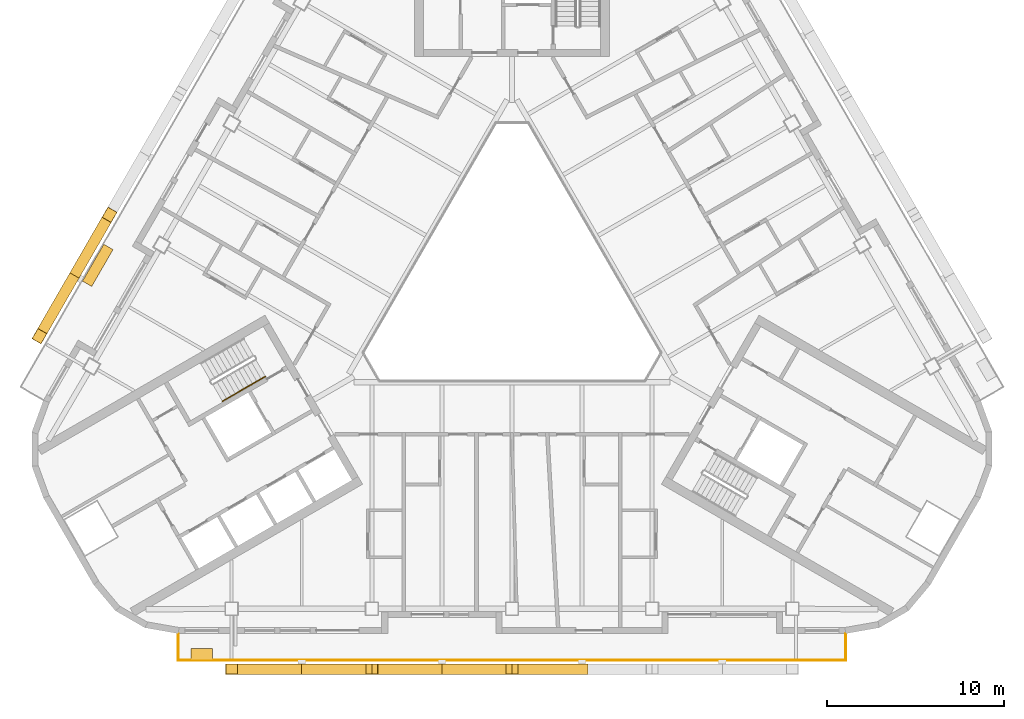
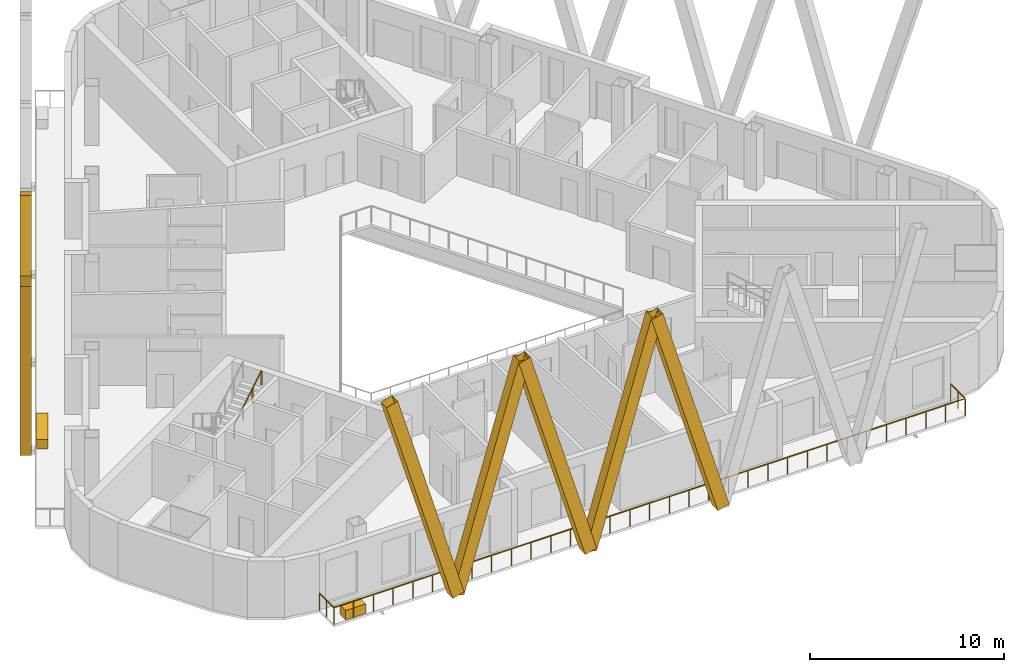
# One storey, part 9 of 14: 7 shading devices, 2 coverings, 2 railings.
"""IFC4 building model written with IfcOpenShell, lengths in metres."""

import ifcopenshell
import ifcopenshell.guid

model = None  # the IFC model being written
_history = None  # IfcOwnerHistory: only IFC2X3 demands one
_inside = {}  # id of a spatial element -> (the spatial element, [elements in it])
_under = {}  # id of a project, library or spatial element -> (it, [spatial elements below it])
_declared = {}  # id of a project -> (the project, [libraries it declares])
_typed = {}  # id of a type object -> (the type object, [elements of that type])
_made_of = {}  # id of a material, layer set ... -> (it, [elements and type objects made of it])


def new_model(schema):
    """Start an empty IFC model of exactly this schema.

    Asked for "IFC4X3", IfcOpenShell would pick the latest addendum, in which some entities
    have other attributes; the version numbers below select the first issue.
    IFC2X3 requires an IfcOwnerHistory on every rooted entity: one is made here for all.
    """
    global model, _history
    if schema == "IFC4X3":
        model = ifcopenshell.file(schema_version=(4, 3, 0, 0))
    else:
        model = ifcopenshell.file(schema=schema)
    _inside.clear()
    _under.clear()
    _declared.clear()
    _typed.clear()
    _made_of.clear()
    _history = None
    if model.schema == "IFC2X3":
        org = make("IfcOrganization", Name="unknown")
        user = make(
            "IfcPersonAndOrganization",
            ThePerson=make("IfcPerson", FamilyName="unknown"),
            TheOrganization=org,
        )
        app = make(
            "IfcApplication",
            ApplicationDeveloper=org,
            Version="unknown",
            ApplicationFullName="unknown",
            ApplicationIdentifier="unknown",
        )
        _history = make(
            "IfcOwnerHistory",
            OwningUser=user,
            OwningApplication=app,
            ChangeAction="ADDED",
            CreationDate=0,
        )
    return model


def make(cls, **values):
    """One entity of the class cls with the attributes given. An attribute that is None is left unset."""
    return model.create_entity(
        cls, **{name: value for name, value in values.items() if value is not None}
    )


def rooted(cls, **values):
    """An entity with a GlobalId (a new one), such as an element, a storey or a relation."""
    return make(cls, GlobalId=ifcopenshell.guid.new(), OwnerHistory=_history, **values)


def si_unit(unit_type, name, prefix=None):
    """IfcSIUnit, for example si_unit("LENGTHUNIT", "METRE", prefix="MILLI")."""
    return make("IfcSIUnit", UnitType=unit_type, Prefix=prefix, Name=name)


def assignment(units):
    """IfcUnitAssignment: the units of a project."""
    return None if units is None else make("IfcUnitAssignment", Units=units)


def point(xyz):
    """IfcCartesianPoint."""
    return None if xyz is None else make("IfcCartesianPoint", Coordinates=xyz)


def direction(xyz):
    """IfcDirection."""
    return None if xyz is None else make("IfcDirection", DirectionRatios=xyz)


def frame(location, z_axis=None, x_axis=None):
    """IfcAxis2Placement3D, a coordinate frame: its origin and axes. An axis left out is left unset."""
    return make(
        "IfcAxis2Placement3D",
        Location=point(location),
        Axis=direction(z_axis),
        RefDirection=direction(x_axis),
    )


def frame_2d(location, x_axis=None):
    """IfcAxis2Placement2D, a coordinate frame in the plane: its origin and x axis."""
    return make(
        "IfcAxis2Placement2D", Location=point(location), RefDirection=direction(x_axis)
    )


def origin():
    """The frame at (0, 0, 0) with its axes left unset."""
    return frame((0.0, 0.0, 0.0))


def origin_2d():
    """The frame at (0, 0) in the plane with its x axis left unset."""
    return frame_2d((0.0, 0.0))


def place(relative_to, where):
    """IfcLocalPlacement: puts the frame where relative to a parent placement (None: the world)."""
    return make(
        "IfcLocalPlacement", PlacementRelTo=relative_to, RelativePlacement=where
    )


def context(
    kind, dimensions, precision=None, world=None, true_north=None, identifier=None
):
    """IfcGeometricRepresentationContext, for example the 3D "Model" context."""
    return make(
        "IfcGeometricRepresentationContext",
        ContextIdentifier=identifier,
        ContextType=kind,
        CoordinateSpaceDimension=dimensions,
        Precision=precision,
        WorldCoordinateSystem=world,
        TrueNorth=true_north,
    )


def subcontext(parent, identifier, kind, view, scale=None):
    """IfcGeometricRepresentationSubContext, for example "Body" below "Model"."""
    return make(
        "IfcGeometricRepresentationSubContext",
        ContextIdentifier=identifier,
        ContextType=kind,
        ParentContext=parent,
        TargetScale=scale,
        TargetView=view,
    )


def project(units=None, contexts=None):
    """IfcProject with its units and contexts."""
    return rooted(
        "IfcProject",
        Name="project",
        RepresentationContexts=contexts,
        UnitsInContext=assignment(units),
    )


def spatial(cls, under=None, at=None, **own):
    """A site, building, storey or space (cls), placed at a placement, below another one or the project."""
    s = rooted(cls, ObjectPlacement=at, **own)
    if under is not None:
        _under.setdefault(under.id(), (under, []))[1].append(s)
    return s


def profile(cls, at=None, kind="AREA", **sizes):
    """A parametric profile (cls). Its sizes go by their IFC names, for example OverallWidth=200.0."""
    return make(cls, ProfileType=kind, Position=at, **sizes)


def rectangle(**sizes):
    """IfcRectangleProfileDef."""
    return profile("IfcRectangleProfileDef", **sizes)


def hollow_rectangle(**sizes):
    """IfcRectangleHollowProfileDef."""
    return profile("IfcRectangleHollowProfileDef", **sizes)


def circle(**sizes):
    """IfcCircleProfileDef."""
    return profile("IfcCircleProfileDef", **sizes)


def extrude(swept, where, along, depth):
    """IfcExtrudedAreaSolid: the profile swept, set in the frame where, extruded along a direction by depth."""
    return make(
        "IfcExtrudedAreaSolid",
        SweptArea=swept,
        Position=where,
        ExtrudedDirection=direction(along),
        Depth=depth,
    )


def shape(context_of_items, identifier, shape_type, items):
    """IfcShapeRepresentation: the items that make up one representation, for example the "Body"."""
    return make(
        "IfcShapeRepresentation",
        ContextOfItems=context_of_items,
        RepresentationIdentifier=identifier,
        RepresentationType=shape_type,
        Items=items,
    )


def material(Name=None, Category=None):
    """IfcMaterial."""
    return make("IfcMaterial", Name=Name, Category=Category)


def material_profile(
    of_material, cross_section, Name=None, Category=None, Priority=None
):
    """IfcMaterialProfile: a cross section and its material."""
    return make(
        "IfcMaterialProfile",
        Name=Name,
        Material=of_material,
        Profile=cross_section,
        Priority=Priority,
        Category=Category,
    )


def profile_set(profiles, Name=None, composite=None):
    """IfcMaterialProfileSet."""
    return make(
        "IfcMaterialProfileSet",
        Name=Name,
        MaterialProfiles=profiles,
        CompositeProfile=composite,
    )


def made_of(thing, what):
    """Note that an element or type object is made of a material, layer set ...; save() writes the relation."""
    if what is not None:
        _made_of.setdefault(what.id(), (what, []))[1].append(thing)
    return thing


def type_object(cls, material=None, **own):
    """A type object (cls), such as IfcWallType, which elements share."""
    return made_of(rooted(cls, **own), material)


def element(
    cls,
    number,
    at=None,
    inside=None,
    cuts=None,
    type_object=None,
    material=None,
    context=None,
    identifier="Body",
    shape_type=None,
    held_by="IfcProductDefinitionShape",
    body=None,
    shapes=None,
    **own,
):
    """One element of the class cls, such as IfcWall. Its Tag is "e" and its number.

    at: its placement. inside: the storey or other place that contains it. cuts: it is an
    opening in that element (IfcRelVoidsElement). A single representation is given by context,
    identifier, shape_type and body (its items); several are given by shapes. held_by: the class
    of the entity that holds the representations. save() writes the other relations.
    """
    e = rooted(cls, Tag="e%d" % number, ObjectPlacement=at, **own)
    if body is not None:
        shapes = [shape(context, identifier, shape_type, body)]
    if shapes is not None:
        e.Representation = make(held_by, Representations=shapes)
    if inside is not None:
        _inside.setdefault(inside.id(), (inside, []))[1].append(e)
    if cuts is not None:
        rooted(
            "IfcRelVoidsElement", RelatingBuildingElement=cuts, RelatedOpeningElement=e
        )
    if type_object is not None:
        _typed.setdefault(type_object.id(), (type_object, []))[1].append(e)
    return made_of(e, material)


def aggregate(whole, parts):
    """IfcRelAggregates: a whole, such as a stair, and the parts it consists of."""
    return rooted("IfcRelAggregates", RelatingObject=whole, RelatedObjects=parts)


def save(model, path):
    """Write the relations noted so far, then the file.

    IfcRelAggregates (storeys below a building ...), IfcRelContainedInSpatialStructure (elements
    in a storey), IfcRelDefinesByType, IfcRelAssociatesMaterial and IfcRelDeclares: one each for
    every whole, place, type object, material and project.
    """
    for whole, parts in _under.values():
        aggregate(whole, parts)
    for where, things in _inside.values():
        rooted(
            "IfcRelContainedInSpatialStructure",
            RelatedElements=things,
            RelatingStructure=where,
        )
    for kind, things in _typed.values():
        rooted("IfcRelDefinesByType", RelatedObjects=things, RelatingType=kind)
    for what, things in _made_of.values():
        rooted("IfcRelAssociatesMaterial", RelatedObjects=things, RelatingMaterial=what)
    for by, libraries in _declared.values():
        rooted("IfcRelDeclares", RelatingContext=by, RelatedDefinitions=libraries)
    model.write(path)


model = new_model("IFC4")

# Units and contexts
model_context = context("Model", 3, precision=1e-05, world=origin(), true_north=direction((0.0, 1.0)))
body_context = subcontext(model_context, "Body", "Model", "MODEL_VIEW")
ifc_project = project(units=[si_unit("LENGTHUNIT", "METRE"), si_unit("AREAUNIT", "SQUARE_METRE"), si_unit("VOLUMEUNIT", "CUBIC_METRE"), si_unit("PLANEANGLEUNIT", "RADIAN"), si_unit("MASSUNIT", "GRAM", prefix="KILO")], contexts=[model_context])

# Site, building, storey
site_placement = place(None, origin())
site = spatial("IfcSite", under=ifc_project, at=site_placement, CompositionType="ELEMENT")
building_placement = place(site_placement, origin())
building = spatial("IfcBuilding", under=site, at=building_placement, Name="Apuvela Tower Hotel", CompositionType="ELEMENT")
storey_placement = place(building_placement, frame((0.0, 0.0, 224.300048828125)))
storey = spatial("IfcBuildingStorey", under=building, at=storey_placement, Name="L55", CompositionType="ELEMENT", Elevation=224.300048828125)

# Railing
ifc_material_1 = material(Name="Stainless steel 316 handrail", Category="steel")
railing_type_1 = type_object("IfcRailingType", Name="COR-HANDRAIL-900", PredefinedType="HANDRAIL", material=ifc_material_1)
railing_1_placement = place(storey_placement, frame((-16.31884765625, -6.534912109375, 2.01806640625)))
element("IfcRailing", 1, at=railing_1_placement, inside=storey, type_object=railing_type_1, Name="L55 ST2 stair handrail 2", PredefinedType="HANDRAIL", context=body_context, shape_type="SweptSolid", body=[
    extrude(circle(Radius=0.02392578125, at=origin_2d()), frame((0.0, 0.0, 0.8759765625), z_axis=(0.742390482028, 0.42860119049, 0.514934356695), x_axis=(-0.49998411664, 0.866034573852, 0.0)), (0.0, 0.0, 1.0), 3.26611328125),
    extrude(rectangle(XDim=0.0419921875, YDim=0.0419921875, at=origin_2d()), origin(), (0.0, 0.0, 1.0), 0.851806640625),
    extrude(rectangle(XDim=0.0419921875, YDim=0.0419921875, at=origin_2d()), frame((0.808349609375, 0.466552734375, 0.560546875)), (0.0, 0.0, 1.0), 0.851806640625),
    extrude(rectangle(XDim=0.0419921875, YDim=0.0419921875, at=origin_2d()), frame((1.616455078125, 0.933349609375, 1.121337890625)), (0.0, 0.0, 1.0), 0.851806640625),
    extrude(rectangle(XDim=0.0419921875, YDim=0.0419921875, at=origin_2d()), frame((2.4248046875, 1.39990234375, 1.681884765625)), (0.0, 0.0, 1.0), 0.851806640625),
])

# Shading devices
ifc_material_2 = material(Name="Aluminium 6063-T6, black anodised", Category="aluminium")
ifc_material_profile = material_profile(ifc_material_2, hollow_rectangle(XDim=0.60009765625, YDim=0.699951171875, WallThickness=0.011962890625, at=origin_2d()), Name="AL BOX 700x600x12")
ifc_profile_set = profile_set([ifc_material_profile], Name="Aluminium 6063-T6, black anodised")
shading_device_type = type_object("IfcShadingDeviceType", Name="ENV-FIN-700x600", PredefinedType="USERDEFINED", material=ifc_profile_set)
for number, where, z_axis, x_axis, name in (
    (2, (-11.85009765625, -21.6298828125, -0.10009765625), (-0.282741528766, 0.0, 0.95919613631), (0.0, -1.0, 0.0), "Lattice fin S457"),
    (3, (-11.85009765625, -21.6298828125, -0.10009765625), (0.282757607414, 0.0, 0.959191396672), (0.0, 1.0, 0.0), "Lattice fin S458"),
    (4, (-3.949951171875, -21.6298828125, -0.10009765625), (-0.282741528766, 0.0, 0.95919613631), (0.0, -1.0, 0.0), "Lattice fin S459"),
    (5, (-3.949951171875, -21.6298828125, -0.10009765625), (0.282741528766, 0.0, 0.95919613631), (0.0, 1.0, 0.0), "Lattice fin S460"),
    (6, (3.949951171875, -21.6298828125, -0.10009765625), (-0.282741528766, 0.0, 0.95919613631), (0.0, -1.0, 0.0), "Lattice fin S461"),
    (7, (-24.656982421875, 0.552490234375, -0.10009765625), (0.141361853257, 0.244871095047, 0.959194961024), (-0.866047669374, 0.499961432884, 0.0), "Lattice fin NW527"),
    (8, (-24.656982421875, 0.552490234375, -0.10009765625), (-0.14137958477, -0.244854062078, 0.959196695831), (0.866005453737, -0.500034552904, 0.0), "Lattice fin NW528"),
):
    element("IfcShadingDevice", number, at=place(storey_placement, frame(where, z_axis=z_axis, x_axis=x_axis)), inside=storey, type_object=shading_device_type, Name=name, ObjectType="FIN", PredefinedType="USERDEFINED", context=body_context, shape_type="SweptSolid", body=[
        extrude(hollow_rectangle(XDim=0.60009765625, YDim=0.699951171875, WallThickness=0.011962890625, at=origin_2d()), origin(), (0.0, 0.0, 1.0), 13.97021484375),
    ])

# Railing
ifc_material_3 = material(Name="Stainless steel 316 rail with laminated glass infill", Category="steel")
railing_type_2 = type_object("IfcRailingType", Name="ENV-GUARD-1100", PredefinedType="GUARDRAIL", material=ifc_material_3)
railing_2_placement = place(storey_placement, frame((-18.81591796875, -19.6298828125, 0.0)))
element("IfcRailing", 9, at=railing_2_placement, inside=storey, type_object=railing_type_2, Name="Balcony guard S L55", PredefinedType="GUARDRAIL", context=body_context, shape_type="SweptSolid", body=[
    extrude(rectangle(XDim=0.050048828125, YDim=0.050048828125, at=origin_2d()), frame((0.0, 0.0, 1.0751953125), z_axis=(0.0, -1.0, 0.0), x_axis=(1.0, 0.0, 0.0)), (0.0, 0.0, 1.0), 1.5),
    extrude(rectangle(XDim=0.050048828125, YDim=0.050048828125, at=origin_2d()), frame((0.0, -1.5, 1.0751953125), z_axis=(1.0, 0.0, 0.0), x_axis=(0.0, 1.0, 0.0)), (0.0, 0.0, 1.0), 37.6318359375),
    extrude(rectangle(XDim=0.050048828125, YDim=0.050048828125, at=origin_2d()), frame((37.6318359375, -1.5, 1.0751953125), z_axis=(0.0, 1.0, 0.0), x_axis=(-1.0, 0.0, 0.0)), (0.0, 0.0, 1.0), 1.5),
    extrude(rectangle(XDim=0.0400390625, YDim=0.0400390625, at=origin_2d()), origin(), (0.0, 0.0, 1.0), 1.050048828125),
    extrude(rectangle(XDim=0.0400390625, YDim=0.0400390625, at=origin_2d()), frame((0.0, -0.75, 0.0)), (0.0, 0.0, 1.0), 1.050048828125),
    extrude(rectangle(XDim=0.0400390625, YDim=0.0400390625, at=origin_2d()), frame((0.0, -1.5, 0.0)), (0.0, 0.0, 1.0), 1.050048828125),
    extrude(rectangle(XDim=0.0400390625, YDim=0.0400390625, at=origin_2d()), frame((1.176025390625, -1.5, 0.0)), (0.0, 0.0, 1.0), 1.050048828125),
    extrude(rectangle(XDim=0.0400390625, YDim=0.0400390625, at=origin_2d()), frame((2.35205078125, -1.5, 0.0)), (0.0, 0.0, 1.0), 1.050048828125),
    extrude(rectangle(XDim=0.0400390625, YDim=0.0400390625, at=origin_2d()), frame((3.528076171875, -1.5, 0.0)), (0.0, 0.0, 1.0), 1.050048828125),
    extrude(rectangle(XDim=0.0400390625, YDim=0.0400390625, at=origin_2d()), frame((4.7041015625, -1.5, 0.0)), (0.0, 0.0, 1.0), 1.050048828125),
    extrude(rectangle(XDim=0.0400390625, YDim=0.0400390625, at=origin_2d()), frame((5.8798828125, -1.5, 0.0)), (0.0, 0.0, 1.0), 1.050048828125),
    extrude(rectangle(XDim=0.0400390625, YDim=0.0400390625, at=origin_2d()), frame((7.055908203125, -1.5, 0.0)), (0.0, 0.0, 1.0), 1.050048828125),
    extrude(rectangle(XDim=0.0400390625, YDim=0.0400390625, at=origin_2d()), frame((8.23193359375, -1.5, 0.0)), (0.0, 0.0, 1.0), 1.050048828125),
    extrude(rectangle(XDim=0.0400390625, YDim=0.0400390625, at=origin_2d()), frame((9.407958984375, -1.5, 0.0)), (0.0, 0.0, 1.0), 1.050048828125),
    extrude(rectangle(XDim=0.0400390625, YDim=0.0400390625, at=origin_2d()), frame((10.583984375, -1.5, 0.0)), (0.0, 0.0, 1.0), 1.050048828125),
    extrude(rectangle(XDim=0.0400390625, YDim=0.0400390625, at=origin_2d()), frame((11.760009765625, -1.5, 0.0)), (0.0, 0.0, 1.0), 1.050048828125),
    extrude(rectangle(XDim=0.0400390625, YDim=0.0400390625, at=origin_2d()), frame((12.93603515625, -1.5, 0.0)), (0.0, 0.0, 1.0), 1.050048828125),
    extrude(rectangle(XDim=0.0400390625, YDim=0.0400390625, at=origin_2d()), frame((14.11181640625, -1.5, 0.0)), (0.0, 0.0, 1.0), 1.050048828125),
    extrude(rectangle(XDim=0.0400390625, YDim=0.0400390625, at=origin_2d()), frame((15.287841796875, -1.5, 0.0)), (0.0, 0.0, 1.0), 1.050048828125),
    extrude(rectangle(XDim=0.0400390625, YDim=0.0400390625, at=origin_2d()), frame((16.4638671875, -1.5, 0.0)), (0.0, 0.0, 1.0), 1.050048828125),
    extrude(rectangle(XDim=0.0400390625, YDim=0.0400390625, at=origin_2d()), frame((17.639892578125, -1.5, 0.0)), (0.0, 0.0, 1.0), 1.050048828125),
    extrude(rectangle(XDim=0.0400390625, YDim=0.0400390625, at=origin_2d()), frame((18.81591796875, -1.5, 0.0)), (0.0, 0.0, 1.0), 1.050048828125),
    extrude(rectangle(XDim=0.0400390625, YDim=0.0400390625, at=origin_2d()), frame((19.991943359375, -1.5, 0.0)), (0.0, 0.0, 1.0), 1.050048828125),
    extrude(rectangle(XDim=0.0400390625, YDim=0.0400390625, at=origin_2d()), frame((21.16796875, -1.5, 0.0)), (0.0, 0.0, 1.0), 1.050048828125),
    extrude(rectangle(XDim=0.0400390625, YDim=0.0400390625, at=origin_2d()), frame((22.343994140625, -1.5, 0.0)), (0.0, 0.0, 1.0), 1.050048828125),
    extrude(rectangle(XDim=0.0400390625, YDim=0.0400390625, at=origin_2d()), frame((23.52001953125, -1.5, 0.0)), (0.0, 0.0, 1.0), 1.050048828125),
    extrude(rectangle(XDim=0.0400390625, YDim=0.0400390625, at=origin_2d()), frame((24.69580078125, -1.5, 0.0)), (0.0, 0.0, 1.0), 1.050048828125),
    extrude(rectangle(XDim=0.0400390625, YDim=0.0400390625, at=origin_2d()), frame((25.871826171875, -1.5, 0.0)), (0.0, 0.0, 1.0), 1.050048828125),
    extrude(rectangle(XDim=0.0400390625, YDim=0.0400390625, at=origin_2d()), frame((27.0478515625, -1.5, 0.0)), (0.0, 0.0, 1.0), 1.050048828125),
    extrude(rectangle(XDim=0.0400390625, YDim=0.0400390625, at=origin_2d()), frame((28.223876953125, -1.5, 0.0)), (0.0, 0.0, 1.0), 1.050048828125),
    extrude(rectangle(XDim=0.0400390625, YDim=0.0400390625, at=origin_2d()), frame((29.39990234375, -1.5, 0.0)), (0.0, 0.0, 1.0), 1.050048828125),
    extrude(rectangle(XDim=0.0400390625, YDim=0.0400390625, at=origin_2d()), frame((30.575927734375, -1.5, 0.0)), (0.0, 0.0, 1.0), 1.050048828125),
    extrude(rectangle(XDim=0.0400390625, YDim=0.0400390625, at=origin_2d()), frame((31.751953125, -1.5, 0.0)), (0.0, 0.0, 1.0), 1.050048828125),
    extrude(rectangle(XDim=0.0400390625, YDim=0.0400390625, at=origin_2d()), frame((32.927734375, -1.5, 0.0)), (0.0, 0.0, 1.0), 1.050048828125),
    extrude(rectangle(XDim=0.0400390625, YDim=0.0400390625, at=origin_2d()), frame((34.103759765625, -1.5, 0.0)), (0.0, 0.0, 1.0), 1.050048828125),
    extrude(rectangle(XDim=0.0400390625, YDim=0.0400390625, at=origin_2d()), frame((35.27978515625, -1.5, 0.0)), (0.0, 0.0, 1.0), 1.050048828125),
    extrude(rectangle(XDim=0.0400390625, YDim=0.0400390625, at=origin_2d()), frame((36.455810546875, -1.5, 0.0)), (0.0, 0.0, 1.0), 1.050048828125),
    extrude(rectangle(XDim=0.0400390625, YDim=0.0400390625, at=origin_2d()), frame((37.6318359375, -1.5, 0.0)), (0.0, 0.0, 1.0), 1.050048828125),
    extrude(rectangle(XDim=0.0400390625, YDim=0.0400390625, at=origin_2d()), frame((37.6318359375, -0.75, 0.0)), (0.0, 0.0, 1.0), 1.050048828125),
    extrude(rectangle(XDim=0.0400390625, YDim=0.0400390625, at=origin_2d()), frame((37.6318359375, 0.0, 0.0)), (0.0, 0.0, 1.0), 1.050048828125),
])

# Coverings
ifc_material_4 = material(Name="Planting substrate and soil, planted")
covering_type_1 = type_object("IfcCoveringType", Name="ENV-PLANTER-1200x600", PredefinedType="USERDEFINED", material=ifc_material_4)
covering_1_placement = place(storey_placement, frame((-17.485107421875, -20.780029296875, 0.0), z_axis=(0.0, 0.0, 1.0), x_axis=(1.0, 0.0, 0.0)))
element("IfcCovering", 10, at=covering_1_placement, inside=storey, type_object=covering_type_1, Name="Planter S1", ObjectType="PLANTER", PredefinedType="USERDEFINED", context=body_context, shape_type="SweptSolid", body=[
    extrude(rectangle(XDim=1.199951171875, YDim=0.60009765625, at=origin_2d()), origin(), (0.0, 0.0, 1.0), 0.60009765625),
])
covering_type_2 = type_object("IfcCoveringType", Name="ENV-PLANTER-2400x600", PredefinedType="USERDEFINED", material=ifc_material_4)
covering_2_placement = place(storey_placement, frame((-23.345947265625, 1.12353515625, 0.0), z_axis=(0.0, 0.0, 1.0), x_axis=(-0.5, -0.866025403784, 0.0)))
element("IfcCovering", 11, at=covering_2_placement, inside=storey, type_object=covering_type_2, Name="Planter NW5", ObjectType="PLANTER", PredefinedType="USERDEFINED", context=body_context, shape_type="SweptSolid", body=[
    extrude(rectangle(XDim=2.39990234375, YDim=0.60009765625, at=origin_2d()), origin(), (0.0, 0.0, 1.0), 0.60009765625),
])

save(model, "model.ifc")
